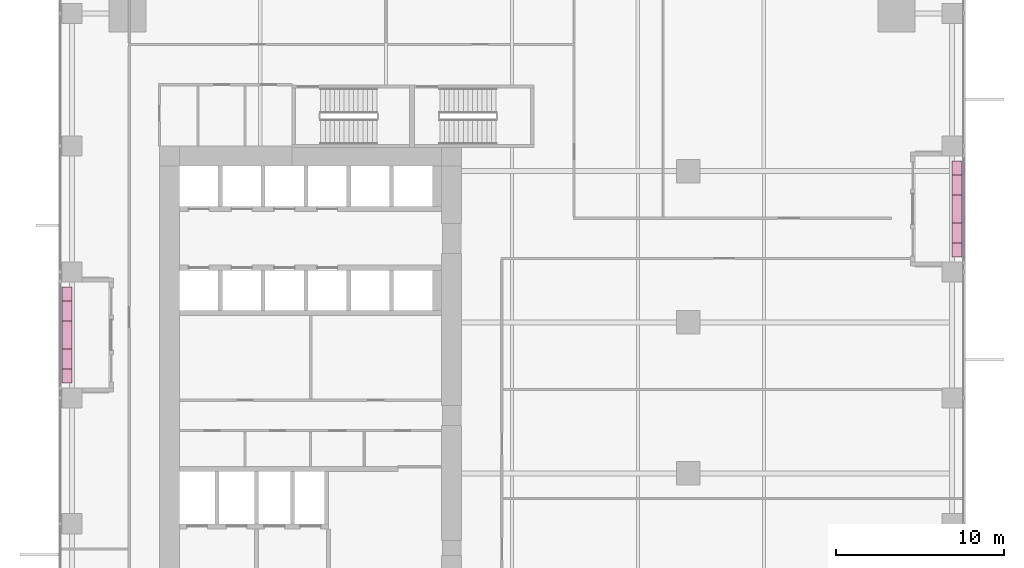
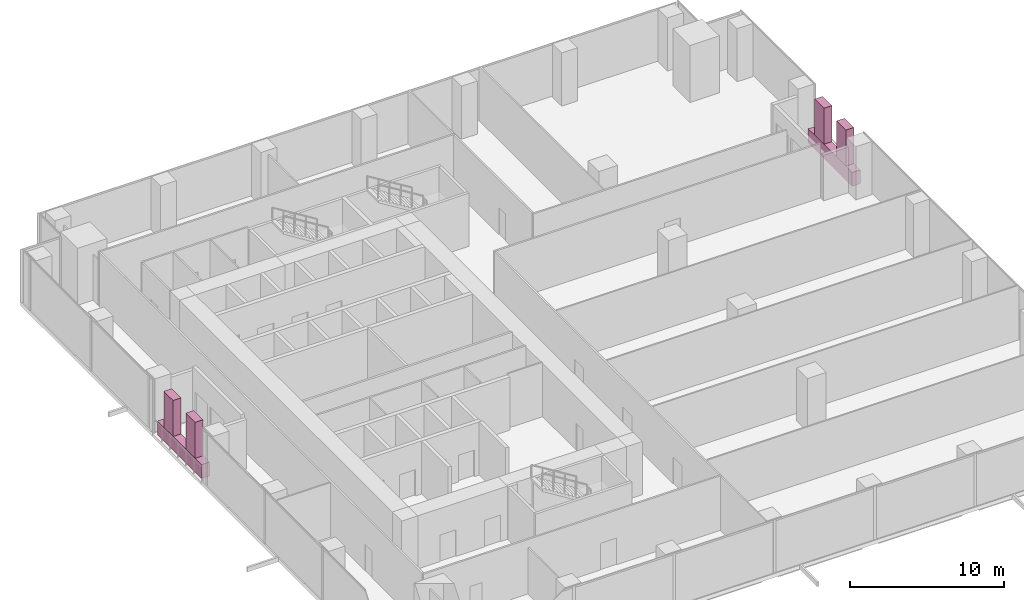
# One storey, part 32 of 32: 6 furnishings.
"""IFC4 building model written with IfcOpenShell, lengths in metres."""

from ifc_helpers import new_model, si_unit, direction, frame, origin, origin_2d, place, context, subcontext, project, spatial, rectangle, extrude, source, transform, mapped, material, type_object, element, save


model = new_model("IFC4")

# Units and contexts
model_context = context("Model", 3, precision=1e-05, world=origin(), true_north=direction((0.0, 1.0)))
body_context = subcontext(model_context, "Body", "Model", "MODEL_VIEW")
ifc_project = project(units=[si_unit("LENGTHUNIT", "METRE"), si_unit("AREAUNIT", "SQUARE_METRE"), si_unit("VOLUMEUNIT", "CUBIC_METRE"), si_unit("PLANEANGLEUNIT", "RADIAN"), si_unit("MASSUNIT", "GRAM", prefix="KILO")], contexts=[model_context])

# Site, building, storey
site_placement = place(None, origin())
site = spatial("IfcSite", under=ifc_project, at=site_placement, CompositionType="ELEMENT")
building_placement = place(site_placement, origin())
building = spatial("IfcBuilding", under=site, at=building_placement, Name="Khomas Fold Tower", CompositionType="ELEMENT")
storey_placement = place(building_placement, frame((0.0, 0.0, 64.5)))
storey = spatial("IfcBuildingStorey", under=building, at=storey_placement, Name="L13", CompositionType="ELEMENT", Elevation=64.5)

# Furnishings
ifc_material_1 = material(Name="Precast concrete C40/50", Category="concrete")
furnishing_element_type_1 = type_object("IfcFurnishingElementType", Name="BL-Structural planter box", material=ifc_material_1)
shared_shape_1 = source(origin(), body_context, "Body", "SweptSolid", [
    extrude(rectangle(XDim=5.699951171875, YDim=0.60009765625, at=origin_2d()), origin(), (0.0, 0.0, 1.0), 1.10009765625),
])
for number, where, z_axis, x_axis, name in (
    (1, (53.5, 38.25, -0.045166015625), (0.0, 0.0, 1.0), (0.0, 1.0, 0.0), "PLANTER BAL-L13-E4"),
    (2, (0.5, 30.75, -0.045166015625), (0.0, 0.0, 1.0), (0.0, 1.0, 0.0), "PLANTER BAL-L13-W3"),
):
    element("IfcFurnishingElement", number, at=place(storey_placement, frame(where, z_axis=z_axis, x_axis=x_axis)), inside=storey, type_object=furnishing_element_type_1, Name=name, context=body_context, shape_type="MappedRepresentation", body=[
        mapped(shared_shape_1, transform((0.0, 0.0, 0.0))),
    ])
ifc_material_2 = material(Name="Planting")
furnishing_element_type_2 = type_object("IfcFurnishingElementType", Name="BL-Tree Shepherd's tree", material=ifc_material_2)
shared_shape_2 = source(origin(), body_context, "Body", "SweptSolid", [
    extrude(rectangle(XDim=1.199951171875, YDim=0.60009765625, at=origin_2d()), origin(), (0.0, 0.0, 1.0), 2.844970703125),
])
furnishing_1_placement = place(storey_placement, frame((53.5, 36.824951171875, 1.05517578125), z_axis=(0.0, 0.0, 1.0), x_axis=(0.0, 1.0, 0.0)))
element("IfcFurnishingElement", 3, at=furnishing_1_placement, inside=storey, type_object=furnishing_element_type_2, Name="PLANTER (TREE) Shepherd's tree BAL-L13-E4-1", context=body_context, shape_type="MappedRepresentation", body=[
    mapped(shared_shape_2, transform((0.0, 0.0, 0.0))),
])
ifc_material_3 = material(Name="Planting")
furnishing_element_type_3 = type_object("IfcFurnishingElementType", Name="BL-Tree Karee", material=ifc_material_3)
furnishing_2_placement = place(storey_placement, frame((53.5, 39.675048828125, 1.05517578125), z_axis=(0.0, 0.0, 1.0), x_axis=(0.0, 1.0, 0.0)))
element("IfcFurnishingElement", 4, at=furnishing_2_placement, inside=storey, type_object=furnishing_element_type_3, Name="PLANTER (TREE) Karee BAL-L13-E4-2", context=body_context, shape_type="MappedRepresentation", body=[
    mapped(shared_shape_2, transform((0.0, 0.0, 0.0))),
])
furnishing_3_placement = place(storey_placement, frame((0.5, 29.324951171875, 1.05517578125), z_axis=(0.0, 0.0, 1.0), x_axis=(0.0, 1.0, 0.0)))
element("IfcFurnishingElement", 5, at=furnishing_3_placement, inside=storey, type_object=furnishing_element_type_2, Name="PLANTER (TREE) Shepherd's tree BAL-L13-W3-1", context=body_context, shape_type="MappedRepresentation", body=[
    mapped(shared_shape_2, transform((0.0, 0.0, 0.0))),
])
furnishing_4_placement = place(storey_placement, frame((0.5, 32.175048828125, 1.05517578125), z_axis=(0.0, 0.0, 1.0), x_axis=(0.0, 1.0, 0.0)))
element("IfcFurnishingElement", 6, at=furnishing_4_placement, inside=storey, type_object=furnishing_element_type_3, Name="PLANTER (TREE) Karee BAL-L13-W3-2", context=body_context, shape_type="MappedRepresentation", body=[
    mapped(shared_shape_2, transform((0.0, 0.0, 0.0))),
])

save(model, "model.ifc")
